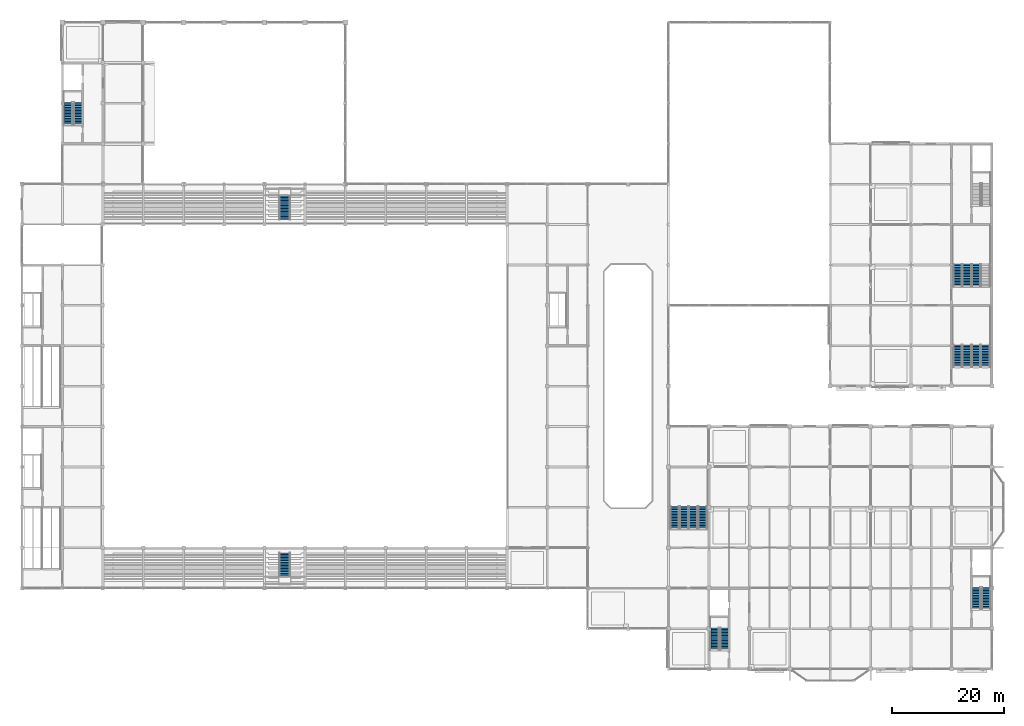
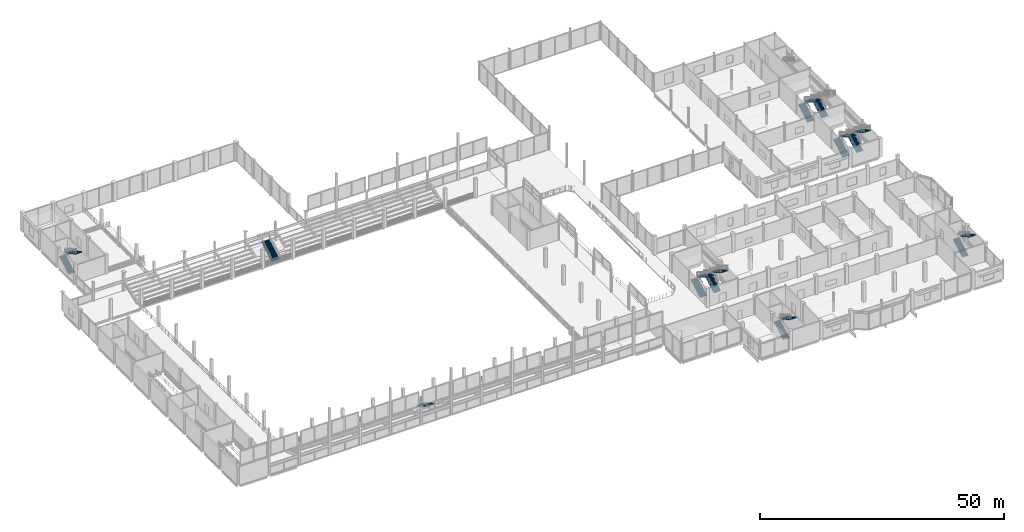
# One storey, part 99 of 120: 19 stair flights, 11 elements without a shape of their own.
"""IFC4 building model written with IfcOpenShell, lengths in metres."""

import ifcopenshell
import ifcopenshell.guid

model = None  # the IFC model being written
_history = None  # IfcOwnerHistory: only IFC2X3 demands one
_inside = {}  # id of a spatial element -> (the spatial element, [elements in it])
_under = {}  # id of a project, library or spatial element -> (it, [spatial elements below it])
_declared = {}  # id of a project -> (the project, [libraries it declares])
_typed = {}  # id of a type object -> (the type object, [elements of that type])
_made_of = {}  # id of a material, layer set ... -> (it, [elements and type objects made of it])


def new_model(schema):
    """Start an empty IFC model of exactly this schema.

    Asked for "IFC4X3", IfcOpenShell would pick the latest addendum, in which some entities
    have other attributes; the version numbers below select the first issue.
    IFC2X3 requires an IfcOwnerHistory on every rooted entity: one is made here for all.
    """
    global model, _history
    if schema == "IFC4X3":
        model = ifcopenshell.file(schema_version=(4, 3, 0, 0))
    else:
        model = ifcopenshell.file(schema=schema)
    _inside.clear()
    _under.clear()
    _declared.clear()
    _typed.clear()
    _made_of.clear()
    _history = None
    if model.schema == "IFC2X3":
        org = make("IfcOrganization", Name="unknown")
        user = make(
            "IfcPersonAndOrganization",
            ThePerson=make("IfcPerson", FamilyName="unknown"),
            TheOrganization=org,
        )
        app = make(
            "IfcApplication",
            ApplicationDeveloper=org,
            Version="unknown",
            ApplicationFullName="unknown",
            ApplicationIdentifier="unknown",
        )
        _history = make(
            "IfcOwnerHistory",
            OwningUser=user,
            OwningApplication=app,
            ChangeAction="ADDED",
            CreationDate=0,
        )
    return model


def make(cls, **values):
    """One entity of the class cls with the attributes given. An attribute that is None is left unset."""
    return model.create_entity(
        cls, **{name: value for name, value in values.items() if value is not None}
    )


def rooted(cls, **values):
    """An entity with a GlobalId (a new one), such as an element, a storey or a relation."""
    return make(cls, GlobalId=ifcopenshell.guid.new(), OwnerHistory=_history, **values)


def si_unit(unit_type, name, prefix=None):
    """IfcSIUnit, for example si_unit("LENGTHUNIT", "METRE", prefix="MILLI")."""
    return make("IfcSIUnit", UnitType=unit_type, Prefix=prefix, Name=name)


def assignment(units):
    """IfcUnitAssignment: the units of a project."""
    return None if units is None else make("IfcUnitAssignment", Units=units)


def point(xyz):
    """IfcCartesianPoint."""
    return None if xyz is None else make("IfcCartesianPoint", Coordinates=xyz)


def direction(xyz):
    """IfcDirection."""
    return None if xyz is None else make("IfcDirection", DirectionRatios=xyz)


def frame(location, z_axis=None, x_axis=None):
    """IfcAxis2Placement3D, a coordinate frame: its origin and axes. An axis left out is left unset."""
    return make(
        "IfcAxis2Placement3D",
        Location=point(location),
        Axis=direction(z_axis),
        RefDirection=direction(x_axis),
    )


def origin():
    """The frame at (0, 0, 0) with its axes left unset."""
    return frame((0.0, 0.0, 0.0))


def place(relative_to, where):
    """IfcLocalPlacement: puts the frame where relative to a parent placement (None: the world)."""
    return make(
        "IfcLocalPlacement", PlacementRelTo=relative_to, RelativePlacement=where
    )


def context(
    kind, dimensions, precision=None, world=None, true_north=None, identifier=None
):
    """IfcGeometricRepresentationContext, for example the 3D "Model" context."""
    return make(
        "IfcGeometricRepresentationContext",
        ContextIdentifier=identifier,
        ContextType=kind,
        CoordinateSpaceDimension=dimensions,
        Precision=precision,
        WorldCoordinateSystem=world,
        TrueNorth=true_north,
    )


def subcontext(parent, identifier, kind, view, scale=None):
    """IfcGeometricRepresentationSubContext, for example "Body" below "Model"."""
    return make(
        "IfcGeometricRepresentationSubContext",
        ContextIdentifier=identifier,
        ContextType=kind,
        ParentContext=parent,
        TargetScale=scale,
        TargetView=view,
    )


def project(units=None, contexts=None):
    """IfcProject with its units and contexts."""
    return rooted(
        "IfcProject",
        Name="project",
        RepresentationContexts=contexts,
        UnitsInContext=assignment(units),
    )


def spatial(cls, under=None, at=None, **own):
    """A site, building, storey or space (cls), placed at a placement, below another one or the project."""
    s = rooted(cls, ObjectPlacement=at, **own)
    if under is not None:
        _under.setdefault(under.id(), (under, []))[1].append(s)
    return s


def polyline(points):
    """IfcPolyline through the points."""
    return make("IfcPolyline", Points=[point(p) for p in points])


def outline(outer, holes=None, kind="AREA"):
    """IfcArbitraryClosedProfileDef: a profile drawn as a closed curve; with holes, ...WithVoids."""
    if holes is None:
        return make("IfcArbitraryClosedProfileDef", ProfileType=kind, OuterCurve=outer)
    return make(
        "IfcArbitraryProfileDefWithVoids",
        ProfileType=kind,
        OuterCurve=outer,
        InnerCurves=holes,
    )


def extrude(swept, where, along, depth):
    """IfcExtrudedAreaSolid: the profile swept, set in the frame where, extruded along a direction by depth."""
    return make(
        "IfcExtrudedAreaSolid",
        SweptArea=swept,
        Position=where,
        ExtrudedDirection=direction(along),
        Depth=depth,
    )


def shape(context_of_items, identifier, shape_type, items):
    """IfcShapeRepresentation: the items that make up one representation, for example the "Body"."""
    return make(
        "IfcShapeRepresentation",
        ContextOfItems=context_of_items,
        RepresentationIdentifier=identifier,
        RepresentationType=shape_type,
        Items=items,
    )


def material(Name=None, Category=None):
    """IfcMaterial."""
    return make("IfcMaterial", Name=Name, Category=Category)


def made_of(thing, what):
    """Note that an element or type object is made of a material, layer set ...; save() writes the relation."""
    if what is not None:
        _made_of.setdefault(what.id(), (what, []))[1].append(thing)
    return thing


def type_object(cls, material=None, **own):
    """A type object (cls), such as IfcWallType, which elements share."""
    return made_of(rooted(cls, **own), material)


def element(
    cls,
    number,
    at=None,
    inside=None,
    cuts=None,
    type_object=None,
    material=None,
    context=None,
    identifier="Body",
    shape_type=None,
    held_by="IfcProductDefinitionShape",
    body=None,
    shapes=None,
    **own,
):
    """One element of the class cls, such as IfcWall. Its Tag is "e" and its number.

    at: its placement. inside: the storey or other place that contains it. cuts: it is an
    opening in that element (IfcRelVoidsElement). A single representation is given by context,
    identifier, shape_type and body (its items); several are given by shapes. held_by: the class
    of the entity that holds the representations. save() writes the other relations.
    """
    e = rooted(cls, Tag="e%d" % number, ObjectPlacement=at, **own)
    if body is not None:
        shapes = [shape(context, identifier, shape_type, body)]
    if shapes is not None:
        e.Representation = make(held_by, Representations=shapes)
    if inside is not None:
        _inside.setdefault(inside.id(), (inside, []))[1].append(e)
    if cuts is not None:
        rooted(
            "IfcRelVoidsElement", RelatingBuildingElement=cuts, RelatedOpeningElement=e
        )
    if type_object is not None:
        _typed.setdefault(type_object.id(), (type_object, []))[1].append(e)
    return made_of(e, material)


def aggregate(whole, parts):
    """IfcRelAggregates: a whole, such as a stair, and the parts it consists of."""
    return rooted("IfcRelAggregates", RelatingObject=whole, RelatedObjects=parts)


def save(model, path):
    """Write the relations noted so far, then the file.

    IfcRelAggregates (storeys below a building ...), IfcRelContainedInSpatialStructure (elements
    in a storey), IfcRelDefinesByType, IfcRelAssociatesMaterial and IfcRelDeclares: one each for
    every whole, place, type object, material and project.
    """
    for whole, parts in _under.values():
        aggregate(whole, parts)
    for where, things in _inside.values():
        rooted(
            "IfcRelContainedInSpatialStructure",
            RelatedElements=things,
            RelatingStructure=where,
        )
    for kind, things in _typed.values():
        rooted("IfcRelDefinesByType", RelatedObjects=things, RelatingType=kind)
    for what, things in _made_of.values():
        rooted("IfcRelAssociatesMaterial", RelatedObjects=things, RelatingMaterial=what)
    for by, libraries in _declared.values():
        rooted("IfcRelDeclares", RelatingContext=by, RelatedDefinitions=libraries)
    model.write(path)


model = new_model("IFC4")

# Units and contexts
model_context = context("Model", 3, precision=1e-05, world=origin(), true_north=direction((0.0, 1.0)))
body_context = subcontext(model_context, "Body", "Model", "MODEL_VIEW")
ifc_project = project(units=[si_unit("LENGTHUNIT", "METRE"), si_unit("AREAUNIT", "SQUARE_METRE"), si_unit("VOLUMEUNIT", "CUBIC_METRE"), si_unit("PLANEANGLEUNIT", "RADIAN"), si_unit("MASSUNIT", "GRAM", prefix="KILO")], contexts=[model_context])

# Site, building, storey
site_placement = place(None, origin())
site = spatial("IfcSite", under=ifc_project, at=site_placement, CompositionType="ELEMENT")
building_placement = place(site_placement, origin())
building = spatial("IfcBuilding", under=site, at=building_placement, Name="Vesperath Aquatics Centre", CompositionType="ELEMENT")
storey_placement = place(building_placement, frame((0.0, 0.0, 10.199951171875)))
storey = spatial("IfcBuildingStorey", under=building, at=storey_placement, Name="L02", CompositionType="ELEMENT", Elevation=10.199951171875)

# Stair, stair flights
ifc_material = material(Name="Concrete C35", Category="concrete")
stair_type_1 = type_object("IfcStairType", Name="ST-HT48", PredefinedType="HALF_TURN_STAIR", material=ifc_material)
stair_1_placement = place(storey_placement, origin())
stair_1 = element("IfcStair", 1, at=stair_1_placement, inside=storey, type_object=stair_type_1, Name="Enclosed Exit Stair ST3 L02", PredefinedType="HALF_TURN_STAIR")
stair_flight_type_1 = type_object("IfcStairFlightType", Name="SF-F48", PredefinedType="STRAIGHT", material=ifc_material)
stair_flight_1_placement = place(storey_placement, frame((8.27001953125, 97.02001953125, 0.0), z_axis=(0.0, 0.0, 1.0), x_axis=(0.0, 1.0, 0.0)))
stair_flight_1 = element("IfcStairFlight", 2, at=stair_flight_1_placement, type_object=stair_flight_type_1, Name="Stair ST3 Flight 1 L02", NumberOfRisers=15, NumberOfTreads=14, PredefinedType="STRAIGHT", RiserHeight=0.16, TreadLength=0.28, context=body_context, shape_type="SweptSolid", body=[
    extrude(outline(polyline([(0.0, 0.0), (0.0, 0.159912109375), (0.280029296875, 0.159912109375), (0.280029296875, 0.320068359375), (0.56005859375, 0.320068359375), (0.56005859375, 0.47998046875), (0.840087890625, 0.47998046875), (0.840087890625, 0.639892578125), (1.1201171875, 0.639892578125), (1.1201171875, 0.800048828125), (1.39990234375, 0.800048828125), (1.39990234375, 0.9599609375), (1.679931640625, 0.9599609375), (1.679931640625, 1.1201171875), (1.9599609375, 1.1201171875), (1.9599609375, 1.280029296875), (2.239990234375, 1.280029296875), (2.239990234375, 1.43994140625), (2.52001953125, 1.43994140625), (2.52001953125, 1.60009765625), (2.800048828125, 1.60009765625), (2.800048828125, 1.760009765625), (3.080078125, 1.760009765625), (3.080078125, 1.919921875), (3.360107421875, 1.919921875), (3.360107421875, 2.080078125), (3.639892578125, 2.080078125), (3.639892578125, 2.239990234375), (3.919921875, 2.239990234375), (3.919921875, 2.39990234375), (3.919921875, 2.03271484375), (0.362548828125, 0.0), (0.0, 0.0)])), frame((0.0, 0.719970703125, 0.0), z_axis=(0.0, -1.0, 0.0), x_axis=(1.0, 0.0, 0.0)), (0.0, 0.0, 1.0), 1.43994140625),
])
stair_flight_2_placement = place(storey_placement, frame((9.949951171875, 100.93994140625, 2.400146484375), z_axis=(0.0, 0.0, 1.0), x_axis=(0.0, -1.0, 0.0)))
stair_flight_2 = element("IfcStairFlight", 3, at=stair_flight_2_placement, type_object=stair_flight_type_1, Name="Stair ST3 Flight 2 L02", NumberOfRisers=15, NumberOfTreads=14, PredefinedType="STRAIGHT", RiserHeight=0.16, TreadLength=0.28, context=body_context, shape_type="SweptSolid", body=[
    extrude(outline(polyline([(0.0, 0.0), (0.0, 0.159912109375), (0.280029296875, 0.159912109375), (0.280029296875, 0.320068359375), (0.56005859375, 0.320068359375), (0.56005859375, 0.47998046875), (0.840087890625, 0.47998046875), (0.840087890625, 0.639892578125), (1.1201171875, 0.639892578125), (1.1201171875, 0.800048828125), (1.39990234375, 0.800048828125), (1.39990234375, 0.9599609375), (1.679931640625, 0.9599609375), (1.679931640625, 1.1201171875), (1.9599609375, 1.1201171875), (1.9599609375, 1.280029296875), (2.239990234375, 1.280029296875), (2.239990234375, 1.43994140625), (2.52001953125, 1.43994140625), (2.52001953125, 1.60009765625), (2.800048828125, 1.60009765625), (2.800048828125, 1.760009765625), (3.080078125, 1.760009765625), (3.080078125, 1.919921875), (3.360107421875, 1.919921875), (3.360107421875, 2.080078125), (3.639892578125, 2.080078125), (3.639892578125, 2.239990234375), (3.919921875, 2.239990234375), (3.919921875, 2.39990234375), (3.919921875, 2.03271484375), (0.362548828125, 0.0), (0.0, 0.0)])), frame((0.0, 0.719970703125, 0.0), z_axis=(0.0, -1.0, 0.0), x_axis=(1.0, 0.0, 0.0)), (0.0, 0.0, 1.0), 1.43994140625),
])
aggregate(stair_1, [stair_flight_1, stair_flight_2])

stair_2_placement = place(storey_placement, origin())
stair_2 = element("IfcStair", 4, at=stair_2_placement, inside=storey, type_object=stair_type_1, Name="Enclosed Exit Stair ST5 L02", PredefinedType="HALF_TURN_STAIR")
stair_flight_3_placement = place(storey_placement, frame((123.469970703125, 3.419921875, 0.0), z_axis=(0.0, 0.0, 1.0), x_axis=(0.0, 1.0, 0.0)))
stair_flight_3 = element("IfcStairFlight", 5, at=stair_flight_3_placement, type_object=stair_flight_type_1, Name="Stair ST5 Flight 1 L02", NumberOfRisers=15, NumberOfTreads=14, PredefinedType="STRAIGHT", RiserHeight=0.16, TreadLength=0.28, context=body_context, shape_type="SweptSolid", body=[
    extrude(outline(polyline([(0.0, 0.0), (0.0, 0.159912109375), (0.280029296875, 0.159912109375), (0.280029296875, 0.320068359375), (0.56005859375, 0.320068359375), (0.56005859375, 0.47998046875), (0.840087890625, 0.47998046875), (0.840087890625, 0.639892578125), (1.1201171875, 0.639892578125), (1.1201171875, 0.800048828125), (1.39990234375, 0.800048828125), (1.39990234375, 0.9599609375), (1.679931640625, 0.9599609375), (1.679931640625, 1.1201171875), (1.9599609375, 1.1201171875), (1.9599609375, 1.280029296875), (2.239990234375, 1.280029296875), (2.239990234375, 1.43994140625), (2.52001953125, 1.43994140625), (2.52001953125, 1.60009765625), (2.800048828125, 1.60009765625), (2.800048828125, 1.760009765625), (3.080078125, 1.760009765625), (3.080078125, 1.919921875), (3.360107421875, 1.919921875), (3.360107421875, 2.080078125), (3.639892578125, 2.080078125), (3.639892578125, 2.239990234375), (3.919921875, 2.239990234375), (3.919921875, 2.39990234375), (3.919921875, 2.03271484375), (0.362548828125, 0.0), (0.0, 0.0)])), frame((0.0, 0.719970703125, 0.0), z_axis=(0.0, -1.0, 0.0), x_axis=(1.0, 0.0, 0.0)), (0.0, 0.0, 1.0), 1.43994140625),
])
stair_flight_4_placement = place(storey_placement, frame((125.14990234375, 7.340087890625, 2.400146484375), z_axis=(0.0, 0.0, 1.0), x_axis=(0.0, -1.0, 0.0)))
stair_flight_4 = element("IfcStairFlight", 6, at=stair_flight_4_placement, type_object=stair_flight_type_1, Name="Stair ST5 Flight 2 L02", NumberOfRisers=15, NumberOfTreads=14, PredefinedType="STRAIGHT", RiserHeight=0.16, TreadLength=0.28, context=body_context, shape_type="SweptSolid", body=[
    extrude(outline(polyline([(0.0, 0.0), (0.0, 0.159912109375), (0.280029296875, 0.159912109375), (0.280029296875, 0.320068359375), (0.56005859375, 0.320068359375), (0.56005859375, 0.47998046875), (0.840087890625, 0.47998046875), (0.840087890625, 0.639892578125), (1.1201171875, 0.639892578125), (1.1201171875, 0.800048828125), (1.39990234375, 0.800048828125), (1.39990234375, 0.9599609375), (1.679931640625, 0.9599609375), (1.679931640625, 1.1201171875), (1.9599609375, 1.1201171875), (1.9599609375, 1.280029296875), (2.239990234375, 1.280029296875), (2.239990234375, 1.43994140625), (2.52001953125, 1.43994140625), (2.52001953125, 1.60009765625), (2.800048828125, 1.60009765625), (2.800048828125, 1.760009765625), (3.080078125, 1.760009765625), (3.080078125, 1.919921875), (3.360107421875, 1.919921875), (3.360107421875, 2.080078125), (3.639892578125, 2.080078125), (3.639892578125, 2.239990234375), (3.919921875, 2.239990234375), (3.919921875, 2.39990234375), (3.919921875, 2.03271484375), (0.362548828125, 0.0), (0.0, 0.0)])), frame((0.0, 0.719970703125, 0.0), z_axis=(0.0, -1.0, 0.0), x_axis=(1.0, 0.0, 0.0)), (0.0, 0.0, 1.0), 1.43994140625),
])
aggregate(stair_2, [stair_flight_3, stair_flight_4])

stair_3_placement = place(storey_placement, origin())
stair_3 = element("IfcStair", 7, at=stair_3_placement, inside=storey, type_object=stair_type_1, Name="Enclosed Exit Stair ST6 L02", PredefinedType="HALF_TURN_STAIR")
stair_flight_5_placement = place(storey_placement, frame((170.070068359375, 10.6201171875, 0.0), z_axis=(0.0, 0.0, 1.0), x_axis=(0.0, 1.0, 0.0)))
stair_flight_5 = element("IfcStairFlight", 8, at=stair_flight_5_placement, type_object=stair_flight_type_1, Name="Stair ST6 Flight 1 L02", NumberOfRisers=15, NumberOfTreads=14, PredefinedType="STRAIGHT", RiserHeight=0.16, TreadLength=0.28, context=body_context, shape_type="SweptSolid", body=[
    extrude(outline(polyline([(0.0, 0.0), (0.0, 0.159912109375), (0.280029296875, 0.159912109375), (0.280029296875, 0.320068359375), (0.56005859375, 0.320068359375), (0.56005859375, 0.47998046875), (0.840087890625, 0.47998046875), (0.840087890625, 0.639892578125), (1.1201171875, 0.639892578125), (1.1201171875, 0.800048828125), (1.39990234375, 0.800048828125), (1.39990234375, 0.9599609375), (1.679931640625, 0.9599609375), (1.679931640625, 1.1201171875), (1.9599609375, 1.1201171875), (1.9599609375, 1.280029296875), (2.239990234375, 1.280029296875), (2.239990234375, 1.43994140625), (2.52001953125, 1.43994140625), (2.52001953125, 1.60009765625), (2.800048828125, 1.60009765625), (2.800048828125, 1.760009765625), (3.080078125, 1.760009765625), (3.080078125, 1.919921875), (3.360107421875, 1.919921875), (3.360107421875, 2.080078125), (3.639892578125, 2.080078125), (3.639892578125, 2.239990234375), (3.919921875, 2.239990234375), (3.919921875, 2.39990234375), (3.919921875, 2.03271484375), (0.362548828125, 0.0), (0.0, 0.0)])), frame((0.0, 0.719970703125, 0.0), z_axis=(0.0, -1.0, 0.0), x_axis=(1.0, 0.0, 0.0)), (0.0, 0.0, 1.0), 1.43994140625),
])
stair_flight_6_placement = place(storey_placement, frame((171.75, 14.5400390625, 2.400146484375), z_axis=(0.0, 0.0, 1.0), x_axis=(0.0, -1.0, 0.0)))
stair_flight_6 = element("IfcStairFlight", 9, at=stair_flight_6_placement, type_object=stair_flight_type_1, Name="Stair ST6 Flight 2 L02", NumberOfRisers=15, NumberOfTreads=14, PredefinedType="STRAIGHT", RiserHeight=0.16, TreadLength=0.28, context=body_context, shape_type="SweptSolid", body=[
    extrude(outline(polyline([(0.0, 0.0), (0.0, 0.159912109375), (0.280029296875, 0.159912109375), (0.280029296875, 0.320068359375), (0.56005859375, 0.320068359375), (0.56005859375, 0.47998046875), (0.840087890625, 0.47998046875), (0.840087890625, 0.639892578125), (1.1201171875, 0.639892578125), (1.1201171875, 0.800048828125), (1.39990234375, 0.800048828125), (1.39990234375, 0.9599609375), (1.679931640625, 0.9599609375), (1.679931640625, 1.1201171875), (1.9599609375, 1.1201171875), (1.9599609375, 1.280029296875), (2.239990234375, 1.280029296875), (2.239990234375, 1.43994140625), (2.52001953125, 1.43994140625), (2.52001953125, 1.60009765625), (2.800048828125, 1.60009765625), (2.800048828125, 1.760009765625), (3.080078125, 1.760009765625), (3.080078125, 1.919921875), (3.360107421875, 1.919921875), (3.360107421875, 2.080078125), (3.639892578125, 2.080078125), (3.639892578125, 2.239990234375), (3.919921875, 2.239990234375), (3.919921875, 2.39990234375), (3.919921875, 2.03271484375), (0.362548828125, 0.0), (0.0, 0.0)])), frame((0.0, 0.719970703125, 0.0), z_axis=(0.0, -1.0, 0.0), x_axis=(1.0, 0.0, 0.0)), (0.0, 0.0, 1.0), 1.43994140625),
])
aggregate(stair_3, [stair_flight_5, stair_flight_6])

# Stair, stair flight
stair_type_2 = type_object("IfcStairType", Name="ST-VM24", PredefinedType="STRAIGHT_RUN_STAIR", material=ifc_material)
stair_4_placement = place(storey_placement, origin())
stair_4 = element("IfcStair", 10, at=stair_4_placement, inside=storey, type_object=stair_type_2, Name="Spectator Vomitory Stair VOM-07", PredefinedType="STRAIGHT_RUN_STAIR")
stair_flight_type_2 = type_object("IfcStairFlightType", Name="SF-VM2", PredefinedType="STRAIGHT", material=ifc_material)
stair_flight_7_placement = place(storey_placement, frame((46.800048828125, 20.699951171875, 0.0), z_axis=(0.0, 0.0, 1.0), x_axis=(0.0, -1.0, 0.0)))
stair_flight_7 = element("IfcStairFlight", 11, at=stair_flight_7_placement, type_object=stair_flight_type_2, Name="Spectator Vomitory Stair VOM-07 Flight", NumberOfRisers=16, NumberOfTreads=15, PredefinedType="STRAIGHT", RiserHeight=0.165625, TreadLength=0.28, context=body_context, shape_type="SweptSolid", body=[
    extrude(outline(polyline([(0.0, 0.0), (0.0, 0.16552734375), (0.280029296875, 0.16552734375), (0.280029296875, 0.331298828125), (0.56005859375, 0.331298828125), (0.56005859375, 0.496826171875), (0.840087890625, 0.496826171875), (0.840087890625, 0.66259765625), (1.1201171875, 0.66259765625), (1.1201171875, 0.828125), (1.39990234375, 0.828125), (1.39990234375, 0.99365234375), (1.679931640625, 0.99365234375), (1.679931640625, 1.159423828125), (1.9599609375, 1.159423828125), (1.9599609375, 1.324951171875), (2.239990234375, 1.324951171875), (2.239990234375, 1.49072265625), (2.52001953125, 1.49072265625), (2.52001953125, 1.65625), (2.800048828125, 1.65625), (2.800048828125, 1.82177734375), (3.080078125, 1.82177734375), (3.080078125, 1.987548828125), (3.360107421875, 1.987548828125), (3.360107421875, 2.153076171875), (3.639892578125, 2.153076171875), (3.639892578125, 2.31884765625), (3.919921875, 2.31884765625), (3.919921875, 2.484375), (4.199951171875, 2.484375), (4.199951171875, 2.64990234375), (4.199951171875, 2.251953125), (0.392822265625, 0.0), (0.0, 0.0)])), frame((0.0, 0.89990234375, 0.0), z_axis=(0.0, -1.0, 0.0), x_axis=(1.0, 0.0, 0.0)), (0.0, 0.0, 1.0), 1.800048828125),
])
aggregate(stair_4, [stair_flight_7])

stair_5_placement = place(storey_placement, origin())
stair_5 = element("IfcStair", 12, at=stair_5_placement, inside=storey, type_object=stair_type_2, Name="Spectator Vomitory Stair VOM-08", PredefinedType="STRAIGHT_RUN_STAIR")
stair_flight_8_placement = place(storey_placement, frame((46.800048828125, 80.10009765625, 0.0), z_axis=(0.0, 0.0, 1.0), x_axis=(0.0, 1.0, 0.0)))
stair_flight_8 = element("IfcStairFlight", 13, at=stair_flight_8_placement, type_object=stair_flight_type_2, Name="Spectator Vomitory Stair VOM-08 Flight", NumberOfRisers=16, NumberOfTreads=15, PredefinedType="STRAIGHT", RiserHeight=0.165625, TreadLength=0.28, context=body_context, shape_type="SweptSolid", body=[
    extrude(outline(polyline([(0.0, 0.0), (0.0, 0.16552734375), (0.280029296875, 0.16552734375), (0.280029296875, 0.331298828125), (0.56005859375, 0.331298828125), (0.56005859375, 0.496826171875), (0.840087890625, 0.496826171875), (0.840087890625, 0.66259765625), (1.1201171875, 0.66259765625), (1.1201171875, 0.828125), (1.39990234375, 0.828125), (1.39990234375, 0.99365234375), (1.679931640625, 0.99365234375), (1.679931640625, 1.159423828125), (1.9599609375, 1.159423828125), (1.9599609375, 1.324951171875), (2.239990234375, 1.324951171875), (2.239990234375, 1.49072265625), (2.52001953125, 1.49072265625), (2.52001953125, 1.65625), (2.800048828125, 1.65625), (2.800048828125, 1.82177734375), (3.080078125, 1.82177734375), (3.080078125, 1.987548828125), (3.360107421875, 1.987548828125), (3.360107421875, 2.153076171875), (3.639892578125, 2.153076171875), (3.639892578125, 2.31884765625), (3.919921875, 2.31884765625), (3.919921875, 2.484375), (4.199951171875, 2.484375), (4.199951171875, 2.64990234375), (4.199951171875, 2.251953125), (0.392822265625, 0.0), (0.0, 0.0)])), frame((0.0, 0.89990234375, 0.0), z_axis=(0.0, -1.0, 0.0), x_axis=(1.0, 0.0, 0.0)), (0.0, 0.0, 1.0), 1.800048828125),
])
aggregate(stair_5, [stair_flight_8])

# Stair, stair flights
stair_type_3 = type_object("IfcStairType", Name="ST-HW48", PredefinedType="HALF_TURN_STAIR", material=ifc_material)
stair_6_placement = place(storey_placement, origin())
stair_6 = element("IfcStair", 14, at=stair_6_placement, inside=storey, type_object=stair_type_3, Name="Enclosed Exit Stair ST7A L02", PredefinedType="HALF_TURN_STAIR")
stair_flight_type_3 = type_object("IfcStairFlightType", Name="SF-W48", PredefinedType="STRAIGHT", material=ifc_material)
stair_flight_9_placement = place(storey_placement, frame((116.324951171875, 25.02001953125, 0.0), z_axis=(0.0, 0.0, 1.0), x_axis=(0.0, 1.0, 0.0)))
stair_flight_9 = element("IfcStairFlight", 15, at=stair_flight_9_placement, type_object=stair_flight_type_3, Name="Stair ST7A Flight 1 L02", NumberOfRisers=15, NumberOfTreads=14, PredefinedType="STRAIGHT", RiserHeight=0.16, TreadLength=0.28, context=body_context, shape_type="SweptSolid", body=[
    extrude(outline(polyline([(0.0, 0.0), (0.0, 0.159912109375), (0.280029296875, 0.159912109375), (0.280029296875, 0.320068359375), (0.56005859375, 0.320068359375), (0.56005859375, 0.47998046875), (0.840087890625, 0.47998046875), (0.840087890625, 0.639892578125), (1.1201171875, 0.639892578125), (1.1201171875, 0.800048828125), (1.39990234375, 0.800048828125), (1.39990234375, 0.9599609375), (1.679931640625, 0.9599609375), (1.679931640625, 1.1201171875), (1.9599609375, 1.1201171875), (1.9599609375, 1.280029296875), (2.239990234375, 1.280029296875), (2.239990234375, 1.43994140625), (2.52001953125, 1.43994140625), (2.52001953125, 1.60009765625), (2.800048828125, 1.60009765625), (2.800048828125, 1.760009765625), (3.080078125, 1.760009765625), (3.080078125, 1.919921875), (3.360107421875, 1.919921875), (3.360107421875, 2.080078125), (3.639892578125, 2.080078125), (3.639892578125, 2.239990234375), (3.919921875, 2.239990234375), (3.919921875, 2.39990234375), (3.919921875, 2.03271484375), (0.362548828125, 0.0), (0.0, 0.0)])), frame((0.0, 0.78515625, 0.0), z_axis=(0.0, -1.0, 0.0), x_axis=(1.0, 0.0, 0.0)), (0.0, 0.0, 1.0), 1.570068359375),
])
stair_flight_10_placement = place(storey_placement, frame((117.97509765625, 28.93994140625, 2.400146484375), z_axis=(0.0, 0.0, 1.0), x_axis=(0.0, -1.0, 0.0)))
stair_flight_10 = element("IfcStairFlight", 16, at=stair_flight_10_placement, type_object=stair_flight_type_3, Name="Stair ST7A Flight 2 L02", NumberOfRisers=15, NumberOfTreads=14, PredefinedType="STRAIGHT", RiserHeight=0.16, TreadLength=0.28, context=body_context, shape_type="SweptSolid", body=[
    extrude(outline(polyline([(0.0, 0.0), (0.0, 0.159912109375), (0.280029296875, 0.159912109375), (0.280029296875, 0.320068359375), (0.56005859375, 0.320068359375), (0.56005859375, 0.47998046875), (0.840087890625, 0.47998046875), (0.840087890625, 0.639892578125), (1.1201171875, 0.639892578125), (1.1201171875, 0.800048828125), (1.39990234375, 0.800048828125), (1.39990234375, 0.9599609375), (1.679931640625, 0.9599609375), (1.679931640625, 1.1201171875), (1.9599609375, 1.1201171875), (1.9599609375, 1.280029296875), (2.239990234375, 1.280029296875), (2.239990234375, 1.43994140625), (2.52001953125, 1.43994140625), (2.52001953125, 1.60009765625), (2.800048828125, 1.60009765625), (2.800048828125, 1.760009765625), (3.080078125, 1.760009765625), (3.080078125, 1.919921875), (3.360107421875, 1.919921875), (3.360107421875, 2.080078125), (3.639892578125, 2.080078125), (3.639892578125, 2.239990234375), (3.919921875, 2.239990234375), (3.919921875, 2.39990234375), (3.919921875, 2.03271484375), (0.362548828125, 0.0), (0.0, 0.0)])), frame((0.0, 0.78515625, 0.0), z_axis=(0.0, -1.0, 0.0), x_axis=(1.0, 0.0, 0.0)), (0.0, 0.0, 1.0), 1.570068359375),
])
aggregate(stair_6, [stair_flight_9, stair_flight_10])

stair_7_placement = place(storey_placement, origin())
stair_7 = element("IfcStair", 17, at=stair_7_placement, inside=storey, type_object=stair_type_3, Name="Enclosed Exit Stair ST7B L02", PredefinedType="HALF_TURN_STAIR")
stair_flight_11_placement = place(storey_placement, frame((119.625, 25.02001953125, 0.0), z_axis=(0.0, 0.0, 1.0), x_axis=(0.0, 1.0, 0.0)))
stair_flight_11 = element("IfcStairFlight", 18, at=stair_flight_11_placement, type_object=stair_flight_type_3, Name="Stair ST7B Flight 1 L02", NumberOfRisers=15, NumberOfTreads=14, PredefinedType="STRAIGHT", RiserHeight=0.16, TreadLength=0.28, context=body_context, shape_type="SweptSolid", body=[
    extrude(outline(polyline([(0.0, 0.0), (0.0, 0.159912109375), (0.280029296875, 0.159912109375), (0.280029296875, 0.320068359375), (0.56005859375, 0.320068359375), (0.56005859375, 0.47998046875), (0.840087890625, 0.47998046875), (0.840087890625, 0.639892578125), (1.1201171875, 0.639892578125), (1.1201171875, 0.800048828125), (1.39990234375, 0.800048828125), (1.39990234375, 0.9599609375), (1.679931640625, 0.9599609375), (1.679931640625, 1.1201171875), (1.9599609375, 1.1201171875), (1.9599609375, 1.280029296875), (2.239990234375, 1.280029296875), (2.239990234375, 1.43994140625), (2.52001953125, 1.43994140625), (2.52001953125, 1.60009765625), (2.800048828125, 1.60009765625), (2.800048828125, 1.760009765625), (3.080078125, 1.760009765625), (3.080078125, 1.919921875), (3.360107421875, 1.919921875), (3.360107421875, 2.080078125), (3.639892578125, 2.080078125), (3.639892578125, 2.239990234375), (3.919921875, 2.239990234375), (3.919921875, 2.39990234375), (3.919921875, 2.03271484375), (0.362548828125, 0.0), (0.0, 0.0)])), frame((0.0, 0.78515625, 0.0), z_axis=(0.0, -1.0, 0.0), x_axis=(1.0, 0.0, 0.0)), (0.0, 0.0, 1.0), 1.570068359375),
])
stair_flight_12_placement = place(storey_placement, frame((121.27490234375, 28.93994140625, 2.400146484375), z_axis=(0.0, 0.0, 1.0), x_axis=(0.0, -1.0, 0.0)))
stair_flight_12 = element("IfcStairFlight", 19, at=stair_flight_12_placement, type_object=stair_flight_type_3, Name="Stair ST7B Flight 2 L02", NumberOfRisers=15, NumberOfTreads=14, PredefinedType="STRAIGHT", RiserHeight=0.16, TreadLength=0.28, context=body_context, shape_type="SweptSolid", body=[
    extrude(outline(polyline([(0.0, 0.0), (0.0, 0.159912109375), (0.280029296875, 0.159912109375), (0.280029296875, 0.320068359375), (0.56005859375, 0.320068359375), (0.56005859375, 0.47998046875), (0.840087890625, 0.47998046875), (0.840087890625, 0.639892578125), (1.1201171875, 0.639892578125), (1.1201171875, 0.800048828125), (1.39990234375, 0.800048828125), (1.39990234375, 0.9599609375), (1.679931640625, 0.9599609375), (1.679931640625, 1.1201171875), (1.9599609375, 1.1201171875), (1.9599609375, 1.280029296875), (2.239990234375, 1.280029296875), (2.239990234375, 1.43994140625), (2.52001953125, 1.43994140625), (2.52001953125, 1.60009765625), (2.800048828125, 1.60009765625), (2.800048828125, 1.760009765625), (3.080078125, 1.760009765625), (3.080078125, 1.919921875), (3.360107421875, 1.919921875), (3.360107421875, 2.080078125), (3.639892578125, 2.080078125), (3.639892578125, 2.239990234375), (3.919921875, 2.239990234375), (3.919921875, 2.39990234375), (3.919921875, 2.03271484375), (0.362548828125, 0.0), (0.0, 0.0)])), frame((0.0, 0.78515625, 0.0), z_axis=(0.0, -1.0, 0.0), x_axis=(1.0, 0.0, 0.0)), (0.0, 0.0, 1.0), 1.570068359375),
])
aggregate(stair_7, [stair_flight_11, stair_flight_12])

stair_8_placement = place(storey_placement, origin())
stair_8 = element("IfcStair", 20, at=stair_8_placement, inside=storey, type_object=stair_type_3, Name="Enclosed Exit Stair ST12A L02", PredefinedType="HALF_TURN_STAIR")
stair_flight_13_placement = place(storey_placement, frame((166.72509765625, 53.820068359375, 0.0), z_axis=(0.0, 0.0, 1.0), x_axis=(0.0, 1.0, 0.0)))
stair_flight_13 = element("IfcStairFlight", 21, at=stair_flight_13_placement, type_object=stair_flight_type_3, Name="Stair ST12A Flight 1 L02", NumberOfRisers=15, NumberOfTreads=14, PredefinedType="STRAIGHT", RiserHeight=0.16, TreadLength=0.28, context=body_context, shape_type="SweptSolid", body=[
    extrude(outline(polyline([(0.0, 0.0), (0.0, 0.159912109375), (0.280029296875, 0.159912109375), (0.280029296875, 0.320068359375), (0.56005859375, 0.320068359375), (0.56005859375, 0.47998046875), (0.840087890625, 0.47998046875), (0.840087890625, 0.639892578125), (1.1201171875, 0.639892578125), (1.1201171875, 0.800048828125), (1.39990234375, 0.800048828125), (1.39990234375, 0.9599609375), (1.679931640625, 0.9599609375), (1.679931640625, 1.1201171875), (1.9599609375, 1.1201171875), (1.9599609375, 1.280029296875), (2.239990234375, 1.280029296875), (2.239990234375, 1.43994140625), (2.52001953125, 1.43994140625), (2.52001953125, 1.60009765625), (2.800048828125, 1.60009765625), (2.800048828125, 1.760009765625), (3.080078125, 1.760009765625), (3.080078125, 1.919921875), (3.360107421875, 1.919921875), (3.360107421875, 2.080078125), (3.639892578125, 2.080078125), (3.639892578125, 2.239990234375), (3.919921875, 2.239990234375), (3.919921875, 2.39990234375), (3.919921875, 2.03271484375), (0.362548828125, 0.0), (0.0, 0.0)])), frame((0.0, 0.78515625, 0.0), z_axis=(0.0, -1.0, 0.0), x_axis=(1.0, 0.0, 0.0)), (0.0, 0.0, 1.0), 1.570068359375),
])
stair_flight_14_placement = place(storey_placement, frame((168.375, 57.739990234375, 2.400146484375), z_axis=(0.0, 0.0, 1.0), x_axis=(0.0, -1.0, 0.0)))
stair_flight_14 = element("IfcStairFlight", 22, at=stair_flight_14_placement, type_object=stair_flight_type_3, Name="Stair ST12A Flight 2 L02", NumberOfRisers=15, NumberOfTreads=14, PredefinedType="STRAIGHT", RiserHeight=0.16, TreadLength=0.28, context=body_context, shape_type="SweptSolid", body=[
    extrude(outline(polyline([(0.0, 0.0), (0.0, 0.159912109375), (0.280029296875, 0.159912109375), (0.280029296875, 0.320068359375), (0.56005859375, 0.320068359375), (0.56005859375, 0.47998046875), (0.840087890625, 0.47998046875), (0.840087890625, 0.639892578125), (1.1201171875, 0.639892578125), (1.1201171875, 0.800048828125), (1.39990234375, 0.800048828125), (1.39990234375, 0.9599609375), (1.679931640625, 0.9599609375), (1.679931640625, 1.1201171875), (1.9599609375, 1.1201171875), (1.9599609375, 1.280029296875), (2.239990234375, 1.280029296875), (2.239990234375, 1.43994140625), (2.52001953125, 1.43994140625), (2.52001953125, 1.60009765625), (2.800048828125, 1.60009765625), (2.800048828125, 1.760009765625), (3.080078125, 1.760009765625), (3.080078125, 1.919921875), (3.360107421875, 1.919921875), (3.360107421875, 2.080078125), (3.639892578125, 2.080078125), (3.639892578125, 2.239990234375), (3.919921875, 2.239990234375), (3.919921875, 2.39990234375), (3.919921875, 2.03271484375), (0.362548828125, 0.0), (0.0, 0.0)])), frame((0.0, 0.78515625, 0.0), z_axis=(0.0, -1.0, 0.0), x_axis=(1.0, 0.0, 0.0)), (0.0, 0.0, 1.0), 1.570068359375),
])
aggregate(stair_8, [stair_flight_13, stair_flight_14])

stair_9_placement = place(storey_placement, origin())
stair_9 = element("IfcStair", 23, at=stair_9_placement, inside=storey, type_object=stair_type_3, Name="Enclosed Exit Stair ST12B L02", PredefinedType="HALF_TURN_STAIR")
stair_flight_15_placement = place(storey_placement, frame((170.02490234375, 53.820068359375, 0.0), z_axis=(0.0, 0.0, 1.0), x_axis=(0.0, 1.0, 0.0)))
stair_flight_15 = element("IfcStairFlight", 24, at=stair_flight_15_placement, type_object=stair_flight_type_3, Name="Stair ST12B Flight 1 L02", NumberOfRisers=15, NumberOfTreads=14, PredefinedType="STRAIGHT", RiserHeight=0.16, TreadLength=0.28, context=body_context, shape_type="SweptSolid", body=[
    extrude(outline(polyline([(0.0, 0.0), (0.0, 0.159912109375), (0.280029296875, 0.159912109375), (0.280029296875, 0.320068359375), (0.56005859375, 0.320068359375), (0.56005859375, 0.47998046875), (0.840087890625, 0.47998046875), (0.840087890625, 0.639892578125), (1.1201171875, 0.639892578125), (1.1201171875, 0.800048828125), (1.39990234375, 0.800048828125), (1.39990234375, 0.9599609375), (1.679931640625, 0.9599609375), (1.679931640625, 1.1201171875), (1.9599609375, 1.1201171875), (1.9599609375, 1.280029296875), (2.239990234375, 1.280029296875), (2.239990234375, 1.43994140625), (2.52001953125, 1.43994140625), (2.52001953125, 1.60009765625), (2.800048828125, 1.60009765625), (2.800048828125, 1.760009765625), (3.080078125, 1.760009765625), (3.080078125, 1.919921875), (3.360107421875, 1.919921875), (3.360107421875, 2.080078125), (3.639892578125, 2.080078125), (3.639892578125, 2.239990234375), (3.919921875, 2.239990234375), (3.919921875, 2.39990234375), (3.919921875, 2.03271484375), (0.362548828125, 0.0), (0.0, 0.0)])), frame((0.0, 0.78515625, 0.0), z_axis=(0.0, -1.0, 0.0), x_axis=(1.0, 0.0, 0.0)), (0.0, 0.0, 1.0), 1.570068359375),
])
stair_flight_16_placement = place(storey_placement, frame((171.675048828125, 57.739990234375, 2.400146484375), z_axis=(0.0, 0.0, 1.0), x_axis=(0.0, -1.0, 0.0)))
stair_flight_16 = element("IfcStairFlight", 25, at=stair_flight_16_placement, type_object=stair_flight_type_3, Name="Stair ST12B Flight 2 L02", NumberOfRisers=15, NumberOfTreads=14, PredefinedType="STRAIGHT", RiserHeight=0.16, TreadLength=0.28, context=body_context, shape_type="SweptSolid", body=[
    extrude(outline(polyline([(0.0, 0.0), (0.0, 0.159912109375), (0.280029296875, 0.159912109375), (0.280029296875, 0.320068359375), (0.56005859375, 0.320068359375), (0.56005859375, 0.47998046875), (0.840087890625, 0.47998046875), (0.840087890625, 0.639892578125), (1.1201171875, 0.639892578125), (1.1201171875, 0.800048828125), (1.39990234375, 0.800048828125), (1.39990234375, 0.9599609375), (1.679931640625, 0.9599609375), (1.679931640625, 1.1201171875), (1.9599609375, 1.1201171875), (1.9599609375, 1.280029296875), (2.239990234375, 1.280029296875), (2.239990234375, 1.43994140625), (2.52001953125, 1.43994140625), (2.52001953125, 1.60009765625), (2.800048828125, 1.60009765625), (2.800048828125, 1.760009765625), (3.080078125, 1.760009765625), (3.080078125, 1.919921875), (3.360107421875, 1.919921875), (3.360107421875, 2.080078125), (3.639892578125, 2.080078125), (3.639892578125, 2.239990234375), (3.919921875, 2.239990234375), (3.919921875, 2.39990234375), (3.919921875, 2.03271484375), (0.362548828125, 0.0), (0.0, 0.0)])), frame((0.0, 0.78515625, 0.0), z_axis=(0.0, -1.0, 0.0), x_axis=(1.0, 0.0, 0.0)), (0.0, 0.0, 1.0), 1.570068359375),
])
aggregate(stair_9, [stair_flight_15, stair_flight_16])

stair_10_placement = place(storey_placement, origin())
stair_10 = element("IfcStair", 26, at=stair_10_placement, inside=storey, type_object=stair_type_3, Name="Enclosed Exit Stair ST13A L02", PredefinedType="HALF_TURN_STAIR")
stair_flight_17_placement = place(storey_placement, frame((166.72509765625, 68.219970703125, 0.0), z_axis=(0.0, 0.0, 1.0), x_axis=(0.0, 1.0, 0.0)))
stair_flight_17 = element("IfcStairFlight", 27, at=stair_flight_17_placement, type_object=stair_flight_type_3, Name="Stair ST13A Flight 1 L02", NumberOfRisers=15, NumberOfTreads=14, PredefinedType="STRAIGHT", RiserHeight=0.16, TreadLength=0.28, context=body_context, shape_type="SweptSolid", body=[
    extrude(outline(polyline([(0.0, 0.0), (0.0, 0.159912109375), (0.280029296875, 0.159912109375), (0.280029296875, 0.320068359375), (0.56005859375, 0.320068359375), (0.56005859375, 0.47998046875), (0.840087890625, 0.47998046875), (0.840087890625, 0.639892578125), (1.1201171875, 0.639892578125), (1.1201171875, 0.800048828125), (1.39990234375, 0.800048828125), (1.39990234375, 0.9599609375), (1.679931640625, 0.9599609375), (1.679931640625, 1.1201171875), (1.9599609375, 1.1201171875), (1.9599609375, 1.280029296875), (2.239990234375, 1.280029296875), (2.239990234375, 1.43994140625), (2.52001953125, 1.43994140625), (2.52001953125, 1.60009765625), (2.800048828125, 1.60009765625), (2.800048828125, 1.760009765625), (3.080078125, 1.760009765625), (3.080078125, 1.919921875), (3.360107421875, 1.919921875), (3.360107421875, 2.080078125), (3.639892578125, 2.080078125), (3.639892578125, 2.239990234375), (3.919921875, 2.239990234375), (3.919921875, 2.39990234375), (3.919921875, 2.03271484375), (0.362548828125, 0.0), (0.0, 0.0)])), frame((0.0, 0.78515625, 0.0), z_axis=(0.0, -1.0, 0.0), x_axis=(1.0, 0.0, 0.0)), (0.0, 0.0, 1.0), 1.570068359375),
])
stair_flight_18_placement = place(storey_placement, frame((168.375, 72.139892578125, 2.400146484375), z_axis=(0.0, 0.0, 1.0), x_axis=(0.0, -1.0, 0.0)))
stair_flight_18 = element("IfcStairFlight", 28, at=stair_flight_18_placement, type_object=stair_flight_type_3, Name="Stair ST13A Flight 2 L02", NumberOfRisers=15, NumberOfTreads=14, PredefinedType="STRAIGHT", RiserHeight=0.16, TreadLength=0.28, context=body_context, shape_type="SweptSolid", body=[
    extrude(outline(polyline([(0.0, 0.0), (0.0, 0.159912109375), (0.280029296875, 0.159912109375), (0.280029296875, 0.320068359375), (0.56005859375, 0.320068359375), (0.56005859375, 0.47998046875), (0.840087890625, 0.47998046875), (0.840087890625, 0.639892578125), (1.1201171875, 0.639892578125), (1.1201171875, 0.800048828125), (1.39990234375, 0.800048828125), (1.39990234375, 0.9599609375), (1.679931640625, 0.9599609375), (1.679931640625, 1.1201171875), (1.9599609375, 1.1201171875), (1.9599609375, 1.280029296875), (2.239990234375, 1.280029296875), (2.239990234375, 1.43994140625), (2.52001953125, 1.43994140625), (2.52001953125, 1.60009765625), (2.800048828125, 1.60009765625), (2.800048828125, 1.760009765625), (3.080078125, 1.760009765625), (3.080078125, 1.919921875), (3.360107421875, 1.919921875), (3.360107421875, 2.080078125), (3.639892578125, 2.080078125), (3.639892578125, 2.239990234375), (3.919921875, 2.239990234375), (3.919921875, 2.39990234375), (3.919921875, 2.03271484375), (0.362548828125, 0.0), (0.0, 0.0)])), frame((0.0, 0.78515625, 0.0), z_axis=(0.0, -1.0, 0.0), x_axis=(1.0, 0.0, 0.0)), (0.0, 0.0, 1.0), 1.570068359375),
])
aggregate(stair_10, [stair_flight_17, stair_flight_18])

# Stair, stair flight
stair_11_placement = place(storey_placement, origin())
stair_11 = element("IfcStair", 29, at=stair_11_placement, inside=storey, type_object=stair_type_3, Name="Enclosed Exit Stair ST13B L02", PredefinedType="HALF_TURN_STAIR")
stair_flight_19_placement = place(storey_placement, frame((170.02490234375, 68.219970703125, 0.0), z_axis=(0.0, 0.0, 1.0), x_axis=(0.0, 1.0, 0.0)))
stair_flight_19 = element("IfcStairFlight", 30, at=stair_flight_19_placement, type_object=stair_flight_type_3, Name="Stair ST13B Flight 1 L02", NumberOfRisers=15, NumberOfTreads=14, PredefinedType="STRAIGHT", RiserHeight=0.16, TreadLength=0.28, context=body_context, shape_type="SweptSolid", body=[
    extrude(outline(polyline([(0.0, 0.0), (0.0, 0.159912109375), (0.280029296875, 0.159912109375), (0.280029296875, 0.320068359375), (0.56005859375, 0.320068359375), (0.56005859375, 0.47998046875), (0.840087890625, 0.47998046875), (0.840087890625, 0.639892578125), (1.1201171875, 0.639892578125), (1.1201171875, 0.800048828125), (1.39990234375, 0.800048828125), (1.39990234375, 0.9599609375), (1.679931640625, 0.9599609375), (1.679931640625, 1.1201171875), (1.9599609375, 1.1201171875), (1.9599609375, 1.280029296875), (2.239990234375, 1.280029296875), (2.239990234375, 1.43994140625), (2.52001953125, 1.43994140625), (2.52001953125, 1.60009765625), (2.800048828125, 1.60009765625), (2.800048828125, 1.760009765625), (3.080078125, 1.760009765625), (3.080078125, 1.919921875), (3.360107421875, 1.919921875), (3.360107421875, 2.080078125), (3.639892578125, 2.080078125), (3.639892578125, 2.239990234375), (3.919921875, 2.239990234375), (3.919921875, 2.39990234375), (3.919921875, 2.03271484375), (0.362548828125, 0.0), (0.0, 0.0)])), frame((0.0, 0.78515625, 0.0), z_axis=(0.0, -1.0, 0.0), x_axis=(1.0, 0.0, 0.0)), (0.0, 0.0, 1.0), 1.570068359375),
])
aggregate(stair_11, [stair_flight_19])

save(model, "model.ifc")
